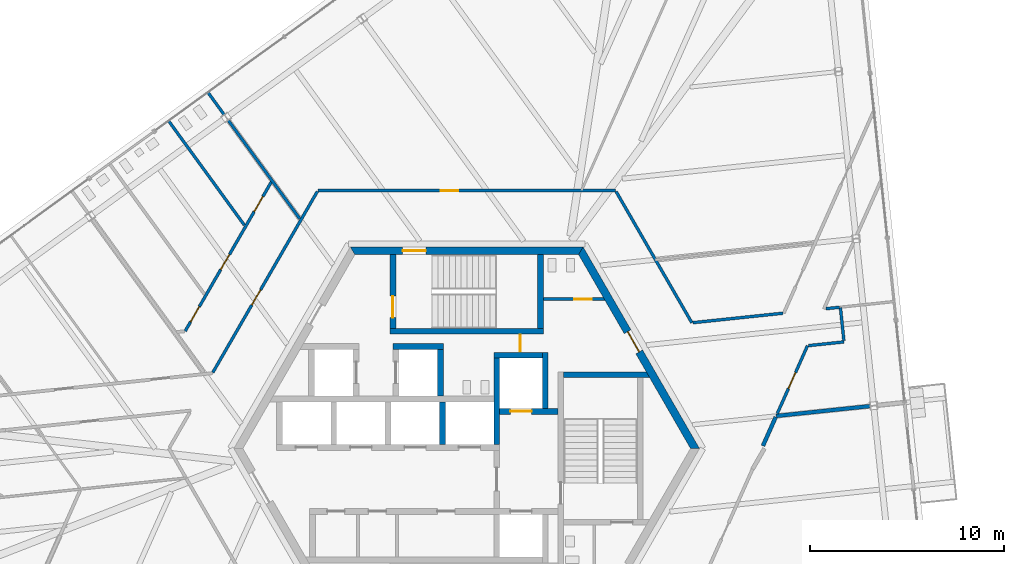
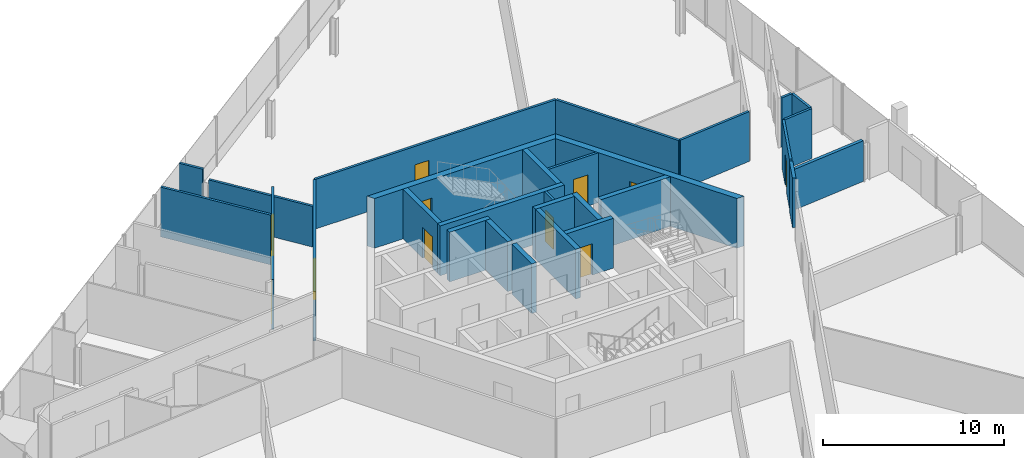
# One storey, part 20 of 25: 29 walls, 12 doors, 12 openings.
"""IFC4 building model written with IfcOpenShell, lengths in metres."""

from ifc_helpers import new_model, si_unit, direction, frame, frame_2d, origin, place, context, subcontext, project, spatial, polyline, rectangle, outline, extrude, source, transform, mapped, material, layer, layer_set, type_object, element, fill, save


model = new_model("IFC4")

# Units and contexts
model_context = context("Model", 3, precision=1e-05, world=origin(), true_north=direction((0.0, 1.0)))
body_context = subcontext(model_context, "Body", "Model", "MODEL_VIEW")
ifc_project = project(units=[si_unit("LENGTHUNIT", "METRE"), si_unit("AREAUNIT", "SQUARE_METRE"), si_unit("VOLUMEUNIT", "CUBIC_METRE"), si_unit("PLANEANGLEUNIT", "RADIAN"), si_unit("MASSUNIT", "GRAM", prefix="KILO")], contexts=[model_context])

# Site, building, storey
site_placement = place(None, origin())
site = spatial("IfcSite", under=ifc_project, at=site_placement, CompositionType="ELEMENT")
building_placement = place(site_placement, origin())
building = spatial("IfcBuilding", under=site, at=building_placement, Name="Triune Harvest Tower", CompositionType="ELEMENT")
storey_placement = place(building_placement, frame((0.0, 0.0, 90.89990234375)))
storey = spatial("IfcBuildingStorey", under=building, at=storey_placement, Name="L22", CompositionType="ELEMENT", Elevation=90.89990234375)

# Walls
ifc_material_1 = material(Name="Gypsum board on steel studs", Category="steel")
ifc_layer_1 = layer(ifc_material_1, 0.14990234375)
ifc_layer_set_1 = layer_set([ifc_layer_1], Name="Gypsum board on steel studs")
wall_type_1 = type_object("IfcWallType", Name="Fire Partition 150 mm", PredefinedType="PARTITIONING", material=ifc_layer_set_1)
wall_1_placement = place(storey_placement, frame((19.2646484375, 7.254638671875, 0.0), z_axis=(0.0, 0.0, 1.0), x_axis=(0.104647626118, -0.99450936363, 0.0)))
element("IfcWall", 1, at=wall_1_placement, inside=storey, type_object=wall_type_1, Name="Partition L22 002", PredefinedType="PARTITIONING", context=body_context, shape_type="SweptSolid", body=[
    extrude(rectangle(XDim=1.7099609375, YDim=0.14990234375, at=frame_2d((0.85498046875, 0.0))), origin(), (0.0, 0.0, 1.0), 3.35009765625),
])
wall_2_placement = place(storey_placement, frame((7.69921875, 13.2490234375, 0.0), z_axis=(0.0, 0.0, 1.0), x_axis=(0.500009052715, -0.866020177134, 0.0)))
element("IfcWall", 2, at=wall_2_placement, inside=storey, type_object=wall_type_1, Name="Partition L22 004", PredefinedType="PARTITIONING", context=body_context, shape_type="SweptSolid", body=[
    extrude(rectangle(XDim=7.816162109375, YDim=0.14990234375, at=frame_2d((3.908203125, 0.0))), origin(), (0.0, 0.0, 1.0), 3.35009765625),
])
wall_3_placement = place(storey_placement, frame((-15.367919921875, 16.890625, 0.0), z_axis=(0.0, 0.0, 1.0), x_axis=(0.587780611238, -0.809020366278, 0.0)))
element("IfcWall", 3, at=wall_3_placement, inside=storey, type_object=wall_type_1, Name="Partition L22 014", PredefinedType="PARTITIONING", context=body_context, shape_type="SweptSolid", body=[
    extrude(rectangle(XDim=6.645263671875, YDim=0.14990234375, at=frame_2d((3.32275390625, 0.0))), origin(), (0.0, 0.0, 1.0), 3.35009765625),
])
wall_4_placement = place(storey_placement, frame((-13.34130859375, 18.36279296875, 0.0), z_axis=(0.0, 0.0, 1.0), x_axis=(0.587700759977, -0.809078374895, 0.0)))
element("IfcWall", 4, at=wall_4_placement, inside=storey, type_object=wall_type_1, Name="Partition L22 015", PredefinedType="PARTITIONING", context=body_context, shape_type="SweptSolid", body=[
    extrude(rectangle(XDim=1.418212890625, YDim=0.14990234375, at=frame_2d((0.708984375, 0.0))), origin(), (0.0, 0.0, 1.0), 3.35009765625),
])
wall_5_placement = place(storey_placement, frame((-12.2880859375, 16.9130859375, 0.0), z_axis=(0.0, 0.0, 1.0), x_axis=(0.587798616863, -0.809007284277, 0.0)))
element("IfcWall", 5, at=wall_5_placement, inside=storey, type_object=wall_type_1, Name="Partition L22 016", PredefinedType="PARTITIONING", context=body_context, shape_type="SweptSolid", body=[
    extrude(rectangle(XDim=6.265625, YDim=0.14990234375, at=frame_2d((3.1328125, 0.0))), origin(), (0.0, 0.0, 1.0), 2.73779296875),
])
wall_6_placement = place(storey_placement, frame((17.615966796875, 5.301513671875, 0.0), z_axis=(0.0, 0.0, 1.0), x_axis=(0.994514155741, 0.104602074695, 0.0)))
element("IfcWall", 6, at=wall_6_placement, inside=storey, type_object=wall_type_1, Name="Partition L22 029", PredefinedType="PARTITIONING", context=body_context, shape_type="SweptSolid", body=[
    extrude(rectangle(XDim=1.84375, YDim=0.14990234375, at=frame_2d((0.921875, 0.0))), origin(), (0.0, 0.0, 1.0), 3.35009765625),
])
wall_7_placement = place(storey_placement, frame((11.656982421875, 6.485107421875, 0.0), z_axis=(0.0, 0.0, 1.0), x_axis=(0.994526615526, 0.104483544206, 0.0)))
element("IfcWall", 7, at=wall_7_placement, inside=storey, type_object=wall_type_1, Name="Partition L22 033", PredefinedType="PARTITIONING", context=body_context, shape_type="SweptSolid", body=[
    extrude(rectangle(XDim=4.67333984375, YDim=0.14990234375, at=frame_2d((2.336669921875, 0.0))), origin(), (0.0, 0.0, 1.0), 3.35009765625),
])
wall_8_placement = place(storey_placement, frame((18.52099609375, 7.206298828125, 0.0), z_axis=(0.0, 0.0, 1.0), x_axis=(0.994501601136, 0.104721370014, 0.0)))
element("IfcWall", 8, at=wall_8_placement, inside=storey, type_object=wall_type_1, Name="Partition L22 034", PredefinedType="PARTITIONING", context=body_context, shape_type="SweptSolid", body=[
    extrude(rectangle(XDim=0.69482421875, YDim=0.14990234375, at=frame_2d((0.347412109375, 0.0))), origin(), (0.0, 0.0, 1.0), 3.35009765625),
])

# Wall, opening, door
wall_9_placement = place(storey_placement, frame((-13.087158203125, 3.916748046875, 0.0), z_axis=(0.0, 0.0, 1.0), x_axis=(0.499996363024, 0.866027503583, 0.0)))
wall_9 = element("IfcWall", 9, at=wall_9_placement, inside=storey, type_object=wall_type_1, Name="Partition L22 041", PredefinedType="PARTITIONING", context=body_context, shape_type="SweptSolid", body=[
    extrude(rectangle(XDim=10.77587890625, YDim=0.14990234375, at=frame_2d((5.387939453125, 0.0))), origin(), (0.0, 0.0, 1.0), 3.35009765625),
])
opening_1_placement = place(wall_9_placement, frame((4.01953125, 0.0, 0.0)))
opening_1 = element("IfcOpeningElement", 10, at=opening_1_placement, cuts=wall_9, Name="Opening L22-008", PredefinedType="OPENING", context=body_context, shape_type="SweptSolid", body=[
    extrude(rectangle(XDim=0.89990234375, YDim=2.10009765625, at=frame_2d((0.449951171875, 1.050048828125))), frame((0.0, 0.0849609375, 0.0), z_axis=(0.0, -1.0, 0.0), x_axis=(1.0, 0.0, 0.0)), (0.0, 0.0, 1.0), 0.169921875),
])
ifc_material_2 = material(Name="Timber and steel door set", Category="steel")
door_type_1 = type_object("IfcDoorType", Name="Single leaf door FD30 left hand 900 x 2100", OperationType="SINGLE_SWING_LEFT", PredefinedType="DOOR", material=ifc_material_2)
door_1_placement = place(opening_1_placement, origin())
door_1 = element("IfcDoor", 11, at=door_1_placement, inside=storey, type_object=door_type_1, Name="Door L22-008 WC lobby 22.08", OperationType="SINGLE_SWING_LEFT", OverallHeight=2.10009765625, OverallWidth=0.89990234375, PredefinedType="DOOR", context=body_context, shape_type="SweptSolid", body=[
    extrude(rectangle(XDim=0.89990234375, YDim=2.10009765625, at=frame_2d((0.449951171875, 1.050048828125))), frame((0.0, 0.02490234375, 0.0), z_axis=(0.0, -1.0, 0.0), x_axis=(1.0, 0.0, 0.0)), (0.0, 0.0, 1.0), 0.050048828125),
])
fill(opening_1, door_1)

# Wall, openings, doors
wall_10_placement = place(storey_placement, frame((-14.512939453125, 6.047607421875, 0.0), z_axis=(0.0, 0.0, 1.0), x_axis=(0.500015672097, 0.866016355306, 0.0)))
wall_10 = element("IfcWall", 12, at=wall_10_placement, inside=storey, type_object=wall_type_1, Name="Partition L22 042", PredefinedType="PARTITIONING", context=body_context, shape_type="SweptSolid", body=[
    extrude(rectangle(XDim=8.961181640625, YDim=0.14990234375, at=frame_2d((4.48046875, 0.0))), origin(), (0.0, 0.0, 1.0), 3.35009765625),
])
opening_2_placement = place(wall_10_placement, frame((7.111328125, 0.0, 0.0)))
opening_2 = element("IfcOpeningElement", 13, at=opening_2_placement, cuts=wall_10, Name="Opening L22-009", PredefinedType="OPENING", context=body_context, shape_type="SweptSolid", body=[
    extrude(rectangle(XDim=0.89990234375, YDim=2.10009765625, at=frame_2d((0.449951171875, 1.050048828125))), frame((0.0, 0.0849609375, 0.0), z_axis=(0.0, -1.0, 0.0), x_axis=(1.0, 0.0, 0.0)), (0.0, 0.0, 1.0), 0.169921875),
])
opening_3_placement = place(wall_10_placement, frame((3.66943359375, 0.0, 0.0)))
opening_3 = element("IfcOpeningElement", 14, at=opening_3_placement, cuts=wall_10, Name="Opening L22-010", PredefinedType="OPENING", context=body_context, shape_type="SweptSolid", body=[
    extrude(rectangle(XDim=0.89990234375, YDim=2.10009765625, at=frame_2d((0.449951171875, 1.050048828125))), frame((0.0, 0.0849609375, 0.0), z_axis=(0.0, -1.0, 0.0), x_axis=(1.0, 0.0, 0.0)), (0.0, 0.0, 1.0), 0.169921875),
])
opening_4_placement = place(wall_10_placement, frame((0.556396484375, 0.0, 0.0)))
opening_4 = element("IfcOpeningElement", 15, at=opening_4_placement, cuts=wall_10, Name="Opening L22-011", PredefinedType="OPENING", context=body_context, shape_type="SweptSolid", body=[
    extrude(rectangle(XDim=0.89990234375, YDim=2.10009765625, at=frame_2d((0.449951171875, 1.050048828125))), frame((0.0, 0.0849609375, 0.0), z_axis=(0.0, -1.0, 0.0), x_axis=(1.0, 0.0, 0.0)), (0.0, 0.0, 1.0), 0.169921875),
])
door_2_placement = place(opening_3_placement, origin())
door_2 = element("IfcDoor", 16, at=door_2_placement, inside=storey, type_object=door_type_1, Name="Door L22-010 Men's WC 22.10", OperationType="SINGLE_SWING_LEFT", OverallHeight=2.10009765625, OverallWidth=0.89990234375, PredefinedType="DOOR", context=body_context, shape_type="SweptSolid", body=[
    extrude(rectangle(XDim=0.89990234375, YDim=2.10009765625, at=frame_2d((0.449951171875, 1.050048828125))), frame((0.0, 0.02490234375, 0.0), z_axis=(0.0, -1.0, 0.0), x_axis=(1.0, 0.0, 0.0)), (0.0, 0.0, 1.0), 0.050048828125),
])
fill(opening_3, door_2)
door_3_placement = place(opening_4_placement, origin())
door_3 = element("IfcDoor", 17, at=door_3_placement, inside=storey, type_object=door_type_1, Name="Door L22-011 Accessible WC 22.11", OperationType="SINGLE_SWING_LEFT", OverallHeight=2.10009765625, OverallWidth=0.89990234375, PredefinedType="DOOR", context=body_context, shape_type="SweptSolid", body=[
    extrude(rectangle(XDim=0.89990234375, YDim=2.10009765625, at=frame_2d((0.449951171875, 1.050048828125))), frame((0.0, 0.02490234375, 0.0), z_axis=(0.0, -1.0, 0.0), x_axis=(1.0, 0.0, 0.0)), (0.0, 0.0, 1.0), 0.050048828125),
])
fill(opening_4, door_3)
ifc_material_3 = material(Name="Timber and steel door set", Category="steel")
door_type_2 = type_object("IfcDoorType", Name="Single leaf door FD30 right hand 900 x 2100", OperationType="SINGLE_SWING_RIGHT", PredefinedType="DOOR", material=ifc_material_3)
door_4_placement = place(opening_2_placement, origin())
door_4 = element("IfcDoor", 18, at=door_4_placement, inside=storey, type_object=door_type_2, Name="Door L22-009 Women's WC 22.09", OperationType="SINGLE_SWING_RIGHT", OverallHeight=2.10009765625, OverallWidth=0.89990234375, PredefinedType="DOOR", context=body_context, shape_type="SweptSolid", body=[
    extrude(rectangle(XDim=0.89990234375, YDim=2.10009765625, at=frame_2d((0.449951171875, 1.050048828125))), frame((0.0, 0.02490234375, 0.0), z_axis=(0.0, -1.0, 0.0), x_axis=(1.0, 0.0, 0.0)), (0.0, 0.0, 1.0), 0.050048828125),
])
fill(opening_2, door_4)

# Wall, opening, door
wall_11_placement = place(storey_placement, frame((16.009033203125, 1.798583984375, 0.0), z_axis=(0.0, 0.0, 1.0), x_axis=(0.406694528677, 0.913564207018, 0.0)))
wall_11 = element("IfcWall", 19, at=wall_11_placement, inside=storey, type_object=wall_type_1, Name="Partition L22 046", PredefinedType="PARTITIONING", context=body_context, shape_type="SweptSolid", body=[
    extrude(rectangle(XDim=3.828857421875, YDim=0.14990234375, at=frame_2d((1.91455078125, 0.0))), origin(), (0.0, 0.0, 1.0), 3.35009765625),
])
opening_5_placement = place(wall_11_placement, frame((1.416748046875, 0.0, 0.0)))
opening_5 = element("IfcOpeningElement", 20, at=opening_5_placement, cuts=wall_11, Name="Opening L22-004", PredefinedType="OPENING", context=body_context, shape_type="SweptSolid", body=[
    extrude(rectangle(XDim=0.89990234375, YDim=2.10009765625, at=frame_2d((0.449951171875, 1.050048828125))), frame((0.0, 0.0849609375, 0.0), z_axis=(0.0, -1.0, 0.0), x_axis=(1.0, 0.0, 0.0)), (0.0, 0.0, 1.0), 0.169921875),
])
door_5_placement = place(opening_5_placement, origin())
door_5 = element("IfcDoor", 21, at=door_5_placement, inside=storey, type_object=door_type_1, Name="Door L22-004 Office 22.04", OperationType="SINGLE_SWING_LEFT", OverallHeight=2.10009765625, OverallWidth=0.89990234375, PredefinedType="DOOR", context=body_context, shape_type="SweptSolid", body=[
    extrude(rectangle(XDim=0.89990234375, YDim=2.10009765625, at=frame_2d((0.449951171875, 1.050048828125))), frame((0.0, 0.02490234375, 0.0), z_axis=(0.0, -1.0, 0.0), x_axis=(1.0, 0.0, 0.0)), (0.0, 0.0, 1.0), 0.050048828125),
])
fill(opening_5, door_5)

# Walls
ifc_material_4 = material(Name="Gypsum board on steel studs", Category="steel")
ifc_layer_2 = layer(ifc_material_4, 0.199951171875)
ifc_layer_set_2 = layer_set([ifc_layer_2], Name="Gypsum board on steel studs")
wall_type_2 = type_object("IfcWallType", Name="Fire Wall 200 mm", PredefinedType="PARTITIONING", material=ifc_layer_set_2)
wall_12_placement = place(storey_placement, frame((15.954833984375, 1.677001953125, 0.0), z_axis=(0.0, 0.0, 1.0), x_axis=(0.994522495007, 0.104522757931, 0.0)))
element("IfcWall", 22, at=wall_12_placement, inside=storey, type_object=wall_type_2, Name="Partition L22 026", PredefinedType="PARTITIONING", context=body_context, shape_type="SweptSolid", body=[
    extrude(rectangle(XDim=4.863037109375, YDim=0.199951171875, at=frame_2d((2.431640625, 0.0))), origin(), (0.0, 0.0, 1.0), 2.73779296875),
])
wall_13_placement = place(storey_placement, frame((15.269287109375, 0.136962890625, 0.0), z_axis=(0.0, 0.0, 1.0), x_axis=(0.406586185741, 0.913612430719, 0.0)))
element("IfcWall", 23, at=wall_13_placement, inside=storey, type_object=wall_type_2, Name="Partition L22 045", PredefinedType="PARTITIONING", context=body_context, shape_type="SweptSolid", body=[
    extrude(rectangle(XDim=1.618896484375, YDim=0.199951171875, at=frame_2d((0.8095703125, 0.0))), origin(), (0.0, 0.0, 1.0), 3.35009765625),
])

# Wall, opening, door
ifc_material_5 = material(Name="Concrete 70 MPa", Category="concrete")
ifc_layer_3 = layer(ifc_material_5, 0.39990234375)
ifc_layer_set_3 = layer_set([ifc_layer_3], Name="Concrete 70 MPa")
wall_type_3 = type_object("IfcWallType", Name="Core wall 400", PredefinedType="SHEAR", material=ifc_layer_set_3)
shared_shape_1 = source(origin(), body_context, "Body", "SweptSolid", [
    extrude(outline(polyline([(-0.115478515625, -0.199951171875), (11.884521484375, -0.199951171875), (11.653564453125, 0.199951171875), (0.115478515625, 0.199951171875), (-0.115478515625, -0.199951171875)])), origin(), (0.0, 0.0, 1.0), 3.35009765625),
])
wall_14_placement = place(storey_placement, frame((11.76904296875, 0.0, 0.0), z_axis=(0.0, 0.0, 1.0), x_axis=(-0.499996592174, 0.866027371285, 0.0)))
wall_14 = element("IfcWall", 24, at=wall_14_placement, inside=storey, type_object=wall_type_3, Name="Hexagon 0 wall", PredefinedType="SHEAR", context=body_context, shape_type="MappedRepresentation", body=[
    mapped(shared_shape_1, transform((0.0, 0.0, 0.0), scale=1.0)),
])
opening_6_placement = place(wall_14_placement, frame((5.75048828125, 0.0, 0.0)))
opening_6 = element("IfcOpeningElement", 25, at=opening_6_placement, cuts=wall_14, Name="Opening CD-WCP", PredefinedType="OPENING", context=body_context, shape_type="SweptSolid", body=[
    extrude(rectangle(XDim=1.199951171875, YDim=2.10009765625, at=frame_2d((0.60009765625, 1.050048828125))), frame((0.0, 0.2099609375, 0.0), z_axis=(0.0, -1.0, 0.0), x_axis=(1.0, 0.0, 0.0)), (0.0, 0.0, 1.0), 0.419921875),
])
ifc_material_6 = material(Name="Steel S235", Category="steel")
door_type_3 = type_object("IfcDoorType", Name="Lobby door 1200 FD120", OperationType="SINGLE_SWING_LEFT", PredefinedType="DOOR", material=ifc_material_6)
door_6_placement = place(opening_6_placement, frame((1.199951171875, 0.0, 0.0), z_axis=(0.0, 0.0, 1.0), x_axis=(-1.0, 0.0, 0.0)))
door_6 = element("IfcDoor", 26, at=door_6_placement, inside=storey, type_object=door_type_3, Name="Door CD-WCP", OperationType="SINGLE_SWING_RIGHT", OverallHeight=2.10009765625, OverallWidth=1.199951171875, PredefinedType="DOOR", context=body_context, shape_type="SweptSolid", body=[
    extrude(rectangle(XDim=1.199951171875, YDim=2.10009765625, at=frame_2d((0.60009765625, 1.050048828125))), frame((0.0, 0.02490234375, 0.0), z_axis=(0.0, -1.0, 0.0), x_axis=(1.0, 0.0, 0.0)), (0.0, 0.0, 1.0), 0.050048828125),
])
fill(opening_6, door_6)

wall_15_placement = place(storey_placement, frame((5.884521484375, 10.1923828125, 0.0), z_axis=(0.0, 0.0, 1.0), x_axis=(-1.0, 0.0, 0.0)))
wall_15 = element("IfcWall", 27, at=wall_15_placement, inside=storey, type_object=wall_type_3, Name="Hexagon 1 wall", PredefinedType="SHEAR", context=body_context, shape_type="MappedRepresentation", body=[
    mapped(shared_shape_1, transform((0.0, 0.0, 0.0), scale=1.0)),
])
opening_7_placement = place(wall_15_placement, frame((7.984619140625, 0.0, 0.0)))
opening_7 = element("IfcOpeningElement", 28, at=opening_7_placement, cuts=wall_15, Name="Opening CD-S1P", PredefinedType="OPENING", context=body_context, shape_type="SweptSolid", body=[
    extrude(rectangle(XDim=1.199951171875, YDim=2.10009765625, at=frame_2d((0.60009765625, 1.050048828125))), frame((0.0, 0.2099609375, 0.0), z_axis=(0.0, -1.0, 0.0), x_axis=(1.0, 0.0, 0.0)), (0.0, 0.0, 1.0), 0.419921875),
])
ifc_material_7 = material(Name="Steel S235", Category="steel")
door_type_4 = type_object("IfcDoorType", Name="Stair door 1200 FD120", OperationType="SINGLE_SWING_LEFT", PredefinedType="DOOR", material=ifc_material_7)
door_7_placement = place(opening_7_placement, frame((1.199951171875, 0.0, 0.0), z_axis=(0.0, 0.0, 1.0), x_axis=(-1.0, 0.0, 0.0)))
door_7 = element("IfcDoor", 29, at=door_7_placement, inside=storey, type_object=door_type_4, Name="Door CD-S1P", OperationType="SINGLE_SWING_RIGHT", OverallHeight=2.10009765625, OverallWidth=1.199951171875, PredefinedType="DOOR", context=body_context, shape_type="SweptSolid", body=[
    extrude(rectangle(XDim=1.199951171875, YDim=2.10009765625, at=frame_2d((0.60009765625, 1.050048828125))), frame((0.0, 0.02490234375, 0.0), z_axis=(0.0, -1.0, 0.0), x_axis=(1.0, 0.0, 0.0)), (0.0, 0.0, 1.0), 0.050048828125),
])
fill(opening_7, door_7)

# Walls
ifc_material_8 = material(Name="Concrete 70 MPa", Category="concrete")
ifc_layer_4 = layer(ifc_material_8, 0.300048828125)
ifc_layer_set_4 = layer_set([ifc_layer_4], Name="Concrete 70 MPa")
wall_type_4 = type_object("IfcWallType", Name="Core wall 300", PredefinedType="SHEAR", material=ifc_layer_set_4)
shared_shape_2 = source(origin(), body_context, "Body", "SweptSolid", [
    extrude(rectangle(XDim=2.5, YDim=0.300048828125, at=frame_2d((1.25, 0.0))), origin(), (0.0, 0.0, 1.0), 3.35009765625),
])
wall_16_placement = place(storey_placement, frame((1.39990234375, 4.81005859375, 0.0), z_axis=(0.0, 0.0, 1.0), x_axis=(1.0, 0.0, 0.0)))
element("IfcWall", 30, at=wall_16_placement, inside=storey, type_object=wall_type_4, Name="Ff1 back wall", PredefinedType="SHEAR", context=body_context, shape_type="MappedRepresentation", body=[
    mapped(shared_shape_2, transform((0.0, 0.0, 0.0), scale=1.0)),
])
shared_shape_3 = source(origin(), body_context, "Body", "SweptSolid", [
    extrude(rectangle(XDim=4.449951171875, YDim=0.300048828125, at=frame_2d((2.22509765625, 0.0))), origin(), (0.0, 0.0, 1.0), 3.35009765625),
])
wall_17_placement = place(storey_placement, frame((1.550048828125, 0.2099609375, 0.0), z_axis=(0.0, 0.0, 1.0), x_axis=(0.0, 1.0, 0.0)))
element("IfcWall", 31, at=wall_17_placement, inside=storey, type_object=wall_type_4, Name="Ff1 west wall", PredefinedType="SHEAR", context=body_context, shape_type="MappedRepresentation", body=[
    mapped(shared_shape_3, transform((0.0, 0.0, 0.0), scale=1.0)),
])

# Wall, opening, door
shared_shape_4 = source(origin(), body_context, "Body", "SweptSolid", [
    extrude(rectangle(XDim=3.0, YDim=0.300048828125, at=frame_2d((1.5, 0.0))), origin(), (0.0, 0.0, 1.0), 3.35009765625),
])
wall_18_placement = place(storey_placement, frame((1.699951171875, 1.909912109375, 0.0), z_axis=(0.0, 0.0, 1.0), x_axis=(1.0, 0.0, 0.0)))
wall_18 = element("IfcWall", 32, at=wall_18_placement, inside=storey, type_object=wall_type_4, Name="Ff1 front wall", PredefinedType="SHEAR", context=body_context, shape_type="MappedRepresentation", body=[
    mapped(shared_shape_4, transform((0.0, 0.0, 0.0), scale=1.0)),
])
opening_8_placement = place(wall_18_placement, frame((0.550048828125, 0.0, 0.0)))
opening_8 = element("IfcOpeningElement", 33, at=opening_8_placement, cuts=wall_18, Name="Opening LD-FF1-22", PredefinedType="OPENING", context=body_context, shape_type="SweptSolid", body=[
    extrude(rectangle(XDim=1.10009765625, YDim=2.10009765625, at=frame_2d((0.550048828125, 1.050048828125))), frame((0.0, 0.16015625, 0.0), z_axis=(0.0, -1.0, 0.0), x_axis=(1.0, 0.0, 0.0)), (0.0, 0.0, 1.0), 0.320068359375),
])
ifc_material_9 = material(Name="Stainless steel AISI 304", Category="steel")
door_type_5 = type_object("IfcDoorType", Name="Landing door 1100 x 2100", OperationType="DOUBLE_DOOR_SLIDING", PredefinedType="DOOR", material=ifc_material_9)
door_8_placement = place(opening_8_placement, origin())
door_8 = element("IfcDoor", 34, at=door_8_placement, inside=storey, type_object=door_type_5, Name="Door LD-FF1-22", OperationType="DOUBLE_DOOR_SLIDING", OverallHeight=2.10009765625, OverallWidth=1.10009765625, PredefinedType="DOOR", context=body_context, shape_type="SweptSolid", body=[
    extrude(rectangle(XDim=1.10009765625, YDim=2.10009765625, at=frame_2d((0.550048828125, 1.050048828125))), frame((0.0, 0.02490234375, 0.0), z_axis=(0.0, -1.0, 0.0), x_axis=(1.0, 0.0, 0.0)), (0.0, 0.0, 1.0), 0.050048828125),
])
fill(opening_8, door_8)

# Walls
shared_shape_5 = source(origin(), body_context, "Body", "SweptSolid", [
    extrude(rectangle(XDim=2.89990234375, YDim=0.300048828125, at=frame_2d((1.449951171875, 0.0))), origin(), (0.0, 0.0, 1.0), 3.35009765625),
])
wall_19_placement = place(storey_placement, frame((4.050048828125, 2.06005859375, 0.0), z_axis=(0.0, 0.0, 1.0), x_axis=(0.0, 1.0, 0.0)))
element("IfcWall", 35, at=wall_19_placement, inside=storey, type_object=wall_type_4, Name="Ff1 east wall", PredefinedType="SHEAR", context=body_context, shape_type="MappedRepresentation", body=[
    mapped(shared_shape_5, transform((0.0, 0.0, 0.0), scale=1.0)),
])
shared_shape_6 = source(origin(), body_context, "Body", "SweptSolid", [
    extrude(rectangle(XDim=2.199951171875, YDim=0.300048828125, at=frame_2d((1.10009765625, 0.0))), origin(), (0.0, 0.0, 1.0), 3.35009765625),
])
wall_20_placement = place(storey_placement, frame((-1.25, 0.2099609375, 0.0), z_axis=(0.0, 0.0, 1.0), x_axis=(0.0, 1.0, 0.0)))
element("IfcWall", 36, at=wall_20_placement, inside=storey, type_object=wall_type_4, Name="North cross 3 wall", PredefinedType="SHEAR", context=body_context, shape_type="MappedRepresentation", body=[
    mapped(shared_shape_6, transform((0.0, 0.0, 0.0), scale=1.0)),
])
shared_shape_7 = source(origin(), body_context, "Body", "SweptSolid", [
    extrude(outline(polyline([(0.0, -0.14990234375), (0.0, 0.14990234375), (4.260009765625, 0.14990234375), (4.43310546875, -0.14990234375), (0.0, -0.14990234375)])), origin(), (0.0, 0.0, 1.0), 3.35009765625),
])
wall_21_placement = place(storey_placement, frame((5.0, 3.800048828125, 0.0), z_axis=(0.0, 0.0, 1.0), x_axis=(1.0, 0.0, 0.0)))
element("IfcWall", 37, at=wall_21_placement, inside=storey, type_object=wall_type_4, Name="Stair e north wall", PredefinedType="SHEAR", context=body_context, shape_type="MappedRepresentation", body=[
    mapped(shared_shape_7, transform((0.0, 0.0, 0.0), scale=1.0)),
])
shared_shape_8 = source(origin(), body_context, "Body", "SweptSolid", [
    extrude(rectangle(XDim=7.89990234375, YDim=0.300048828125, at=frame_2d((3.949951171875, 0.0))), origin(), (0.0, 0.0, 1.0), 3.35009765625),
])
wall_22_placement = place(storey_placement, frame((-3.949951171875, 6.0400390625, 0.0), z_axis=(0.0, 0.0, 1.0), x_axis=(1.0, 0.0, 0.0)))
element("IfcWall", 38, at=wall_22_placement, inside=storey, type_object=wall_type_4, Name="Stair n south wall", PredefinedType="SHEAR", context=body_context, shape_type="MappedRepresentation", body=[
    mapped(shared_shape_8, transform((0.0, 0.0, 0.0), scale=1.0)),
])

# Wall, opening, door
shared_shape_9 = source(origin(), body_context, "Body", "SweptSolid", [
    extrude(outline(polyline([(0.0, -0.14990234375), (0.0, 0.14990234375), (3.80419921875, 0.14990234375), (3.80419921875, -0.14990234375), (0.0, -0.14990234375)])), origin(), (0.0, 0.0, 1.0), 3.35009765625),
])
wall_23_placement = place(storey_placement, frame((-3.800048828125, 6.18994140625, 0.0), z_axis=(0.0, 0.0, 1.0), x_axis=(0.0, 1.0, 0.0)))
wall_23 = element("IfcWall", 39, at=wall_23_placement, inside=storey, type_object=wall_type_4, Name="Stair n west wall", PredefinedType="SHEAR", context=body_context, shape_type="MappedRepresentation", body=[
    mapped(shared_shape_9, transform((0.0, 0.0, 0.0), scale=1.0)),
])
opening_9_placement = place(wall_23_placement, frame((0.56005859375, 0.0, 0.0)))
opening_9 = element("IfcOpeningElement", 40, at=opening_9_placement, cuts=wall_23, Name="Opening CD-S1L", PredefinedType="OPENING", context=body_context, shape_type="SweptSolid", body=[
    extrude(rectangle(XDim=1.10009765625, YDim=2.10009765625, at=frame_2d((0.550048828125, 1.050048828125))), frame((0.0, 0.16015625, 0.0), z_axis=(0.0, -1.0, 0.0), x_axis=(1.0, 0.0, 0.0)), (0.0, 0.0, 1.0), 0.320068359375),
])
ifc_material_10 = material(Name="Steel S235", Category="steel")
door_type_6 = type_object("IfcDoorType", Name="Stair door 1100 FD120", OperationType="SINGLE_SWING_LEFT", PredefinedType="DOOR", material=ifc_material_10)
door_9_placement = place(opening_9_placement, frame((1.10009765625, 0.0, 0.0), z_axis=(0.0, 0.0, 1.0), x_axis=(-1.0, 0.0, 0.0)))
door_9 = element("IfcDoor", 41, at=door_9_placement, inside=storey, type_object=door_type_6, Name="Door CD-S1L", OperationType="SINGLE_SWING_RIGHT", OverallHeight=2.10009765625, OverallWidth=1.10009765625, PredefinedType="DOOR", context=body_context, shape_type="SweptSolid", body=[
    extrude(rectangle(XDim=1.10009765625, YDim=2.10009765625, at=frame_2d((0.550048828125, 1.050048828125))), frame((0.0, 0.02490234375, 0.0), z_axis=(0.0, -1.0, 0.0), x_axis=(1.0, 0.0, 0.0)), (0.0, 0.0, 1.0), 0.050048828125),
])
fill(opening_9, door_9)

# Walls
wall_24_placement = place(storey_placement, frame((3.800048828125, 6.18994140625, 0.0), z_axis=(0.0, 0.0, 1.0), x_axis=(0.0, 1.0, 0.0)))
element("IfcWall", 42, at=wall_24_placement, inside=storey, type_object=wall_type_4, Name="Stair n east wall", PredefinedType="SHEAR", context=body_context, shape_type="MappedRepresentation", body=[
    mapped(shared_shape_9, transform((0.0, 0.0, 0.0), scale=1.0)),
])
shared_shape_10 = source(origin(), body_context, "Body", "SweptSolid", [
    extrude(rectangle(XDim=2.400146484375, YDim=0.300048828125, at=frame_2d((1.2001953125, 0.0))), origin(), (0.0, 0.0, 1.0), 3.35009765625),
])
wall_25_placement = place(storey_placement, frame((-1.35009765625, 2.7099609375, 0.0), z_axis=(0.0, 0.0, 1.0), x_axis=(0.0, 1.0, 0.0)))
element("IfcWall", 43, at=wall_25_placement, inside=storey, type_object=wall_type_4, Name="Sv2 east wall", PredefinedType="SHEAR", context=body_context, shape_type="MappedRepresentation", body=[
    mapped(shared_shape_10, transform((0.0, 0.0, 0.0), scale=1.0)),
])
shared_shape_11 = source(origin(), body_context, "Body", "SweptSolid", [
    extrude(rectangle(XDim=2.60009765625, YDim=0.300048828125, at=frame_2d((1.300048828125, 0.0))), origin(), (0.0, 0.0, 1.0), 3.35009765625),
])
wall_26_placement = place(storey_placement, frame((-3.800048828125, 5.260009765625, 0.0), z_axis=(0.0, 0.0, 1.0), x_axis=(1.0, 0.0, 0.0)))
element("IfcWall", 44, at=wall_26_placement, inside=storey, type_object=wall_type_4, Name="Sv2 north wall", PredefinedType="SHEAR", context=body_context, shape_type="MappedRepresentation", body=[
    mapped(shared_shape_11, transform((0.0, 0.0, 0.0), scale=1.0)),
])

# Wall, opening, door
ifc_material_11 = material(Name="Concrete masonry unit", Category="masonry")
ifc_layer_5 = layer(ifc_material_11, 0.14990234375)
ifc_layer_set_5 = layer_set([ifc_layer_5], Name="Concrete masonry unit")
wall_type_5 = type_object("IfcWallType", Name="Block partition 150 unrated", PredefinedType="PARTITIONING", material=ifc_layer_set_5)
shared_shape_12 = source(origin(), body_context, "Body", "SweptSolid", [
    extrude(outline(polyline([(0.0, -0.074951171875), (0.0, 0.074951171875), (3.1015625, 0.074951171875), (3.18798828125, -0.074951171875), (0.0, -0.074951171875)])), origin(), (0.0, 0.0, 1.0), 3.35009765625),
])
wall_27_placement = place(storey_placement, frame((3.949951171875, 7.699951171875, 0.0), z_axis=(0.0, 0.0, 1.0), x_axis=(1.0, 0.0, 0.0)))
wall_27 = element("IfcWall", 45, at=wall_27_placement, inside=storey, type_object=wall_type_5, Name="Wc women south wall", PredefinedType="PARTITIONING", context=body_context, shape_type="MappedRepresentation", body=[
    mapped(shared_shape_12, transform((0.0, 0.0, 0.0), scale=1.0)),
])
opening_10_placement = place(wall_27_placement, frame((1.60009765625, 0.0, 0.0)))
opening_10 = element("IfcOpeningElement", 46, at=opening_10_placement, cuts=wall_27, Name="Opening CD-WW", PredefinedType="OPENING", context=body_context, shape_type="SweptSolid", body=[
    extrude(rectangle(XDim=0.89990234375, YDim=2.10009765625, at=frame_2d((0.449951171875, 1.050048828125))), frame((0.0, 0.0849609375, 0.0), z_axis=(0.0, -1.0, 0.0), x_axis=(1.0, 0.0, 0.0)), (0.0, 0.0, 1.0), 0.169921875),
])
ifc_material_12 = material(Name="Timber C24", Category="wood")
door_type_7 = type_object("IfcDoorType", Name="WC door 900", OperationType="SINGLE_SWING_LEFT", PredefinedType="DOOR", material=ifc_material_12)
door_10_placement = place(opening_10_placement, origin())
door_10 = element("IfcDoor", 47, at=door_10_placement, inside=storey, type_object=door_type_7, Name="Door CD-WW", OperationType="SINGLE_SWING_LEFT", OverallHeight=2.10009765625, OverallWidth=0.89990234375, PredefinedType="DOOR", context=body_context, shape_type="SweptSolid", body=[
    extrude(rectangle(XDim=0.89990234375, YDim=2.10009765625, at=frame_2d((0.449951171875, 1.050048828125))), frame((0.0, 0.02490234375, 0.0), z_axis=(0.0, -1.0, 0.0), x_axis=(1.0, 0.0, 0.0)), (0.0, 0.0, 1.0), 0.050048828125),
])
fill(opening_10, door_10)

shared_shape_13 = source(origin(), body_context, "Body", "SweptSolid", [
    extrude(rectangle(XDim=0.929931640625, YDim=0.14990234375, at=frame_2d((0.46484375, 0.0))), origin(), (0.0, 0.0, 1.0), 3.35009765625),
])
wall_28_placement = place(storey_placement, frame((2.75, 4.9599609375, 0.0), z_axis=(0.0, 0.0, 1.0), x_axis=(0.0, 1.0, 0.0)))
wall_28 = element("IfcWall", 48, at=wall_28_placement, inside=storey, type_object=wall_type_5, Name="Wc men east b wall", PredefinedType="PARTITIONING", context=body_context, shape_type="MappedRepresentation", body=[
    mapped(shared_shape_13, transform((0.0, 0.0, 0.0), scale=1.0)),
])
opening_11_placement = place(wall_28_placement, frame((0.014892578125, 0.0, 0.0)))
opening_11 = element("IfcOpeningElement", 49, at=opening_11_placement, cuts=wall_28, Name="Opening CD-WM", PredefinedType="OPENING", context=body_context, shape_type="SweptSolid", body=[
    extrude(rectangle(XDim=0.89990234375, YDim=2.10009765625, at=frame_2d((0.449951171875, 1.050048828125))), frame((0.0, 0.0849609375, 0.0), z_axis=(0.0, -1.0, 0.0), x_axis=(1.0, 0.0, 0.0)), (0.0, 0.0, 1.0), 0.169921875),
])
door_11_placement = place(opening_11_placement, origin())
door_11 = element("IfcDoor", 50, at=door_11_placement, inside=storey, type_object=door_type_7, Name="Door CD-WM", OperationType="SINGLE_SWING_LEFT", OverallHeight=2.10009765625, OverallWidth=0.89990234375, PredefinedType="DOOR", context=body_context, shape_type="SweptSolid", body=[
    extrude(rectangle(XDim=0.89990234375, YDim=2.10009765625, at=frame_2d((0.449951171875, 1.050048828125))), frame((0.0, 0.02490234375, 0.0), z_axis=(0.0, -1.0, 0.0), x_axis=(1.0, 0.0, 0.0)), (0.0, 0.0, 1.0), 0.050048828125),
])
fill(opening_11, door_11)

shared_shape_14 = source(origin(), body_context, "Body", "SweptSolid", [
    extrude(rectangle(XDim=15.3486328125, YDim=0.14990234375, at=frame_2d((7.67431640625, 0.0))), origin(), (0.0, 0.0, 1.0), 3.35009765625),
])
wall_29_placement = place(storey_placement, frame((-7.67431640625, 13.292236328125, 0.0), z_axis=(0.0, 0.0, 1.0), x_axis=(1.0, 0.0, 0.0)))
wall_29 = element("IfcWall", 51, at=wall_29_placement, inside=storey, type_object=wall_type_1, Name="Partition L22 021", PredefinedType="PARTITIONING", context=body_context, shape_type="MappedRepresentation", body=[
    mapped(shared_shape_14, transform((0.0, 0.0, 0.0), scale=1.0)),
])
opening_12_placement = place(wall_29_placement, frame((6.34228515625, 0.0, 0.0)))
opening_12 = element("IfcOpeningElement", 52, at=opening_12_placement, cuts=wall_29, Name="Opening L22-007", PredefinedType="OPENING", context=body_context, shape_type="SweptSolid", body=[
    extrude(rectangle(XDim=0.89990234375, YDim=2.10009765625, at=frame_2d((0.449951171875, 1.050048828125))), frame((0.0, 0.0849609375, 0.0), z_axis=(0.0, -1.0, 0.0), x_axis=(1.0, 0.0, 0.0)), (0.0, 0.0, 1.0), 0.169921875),
])
door_12_placement = place(opening_12_placement, origin())
door_12 = element("IfcDoor", 53, at=door_12_placement, inside=storey, type_object=door_type_1, Name="Door L22-007 Food Laboratory 22.07", OperationType="SINGLE_SWING_LEFT", OverallHeight=2.10009765625, OverallWidth=0.89990234375, PredefinedType="DOOR", context=body_context, shape_type="SweptSolid", body=[
    extrude(rectangle(XDim=0.89990234375, YDim=2.10009765625, at=frame_2d((0.449951171875, 1.050048828125))), frame((0.0, 0.02490234375, 0.0), z_axis=(0.0, -1.0, 0.0), x_axis=(1.0, 0.0, 0.0)), (0.0, 0.0, 1.0), 0.050048828125),
])
fill(opening_12, door_12)

save(model, "model.ifc")
